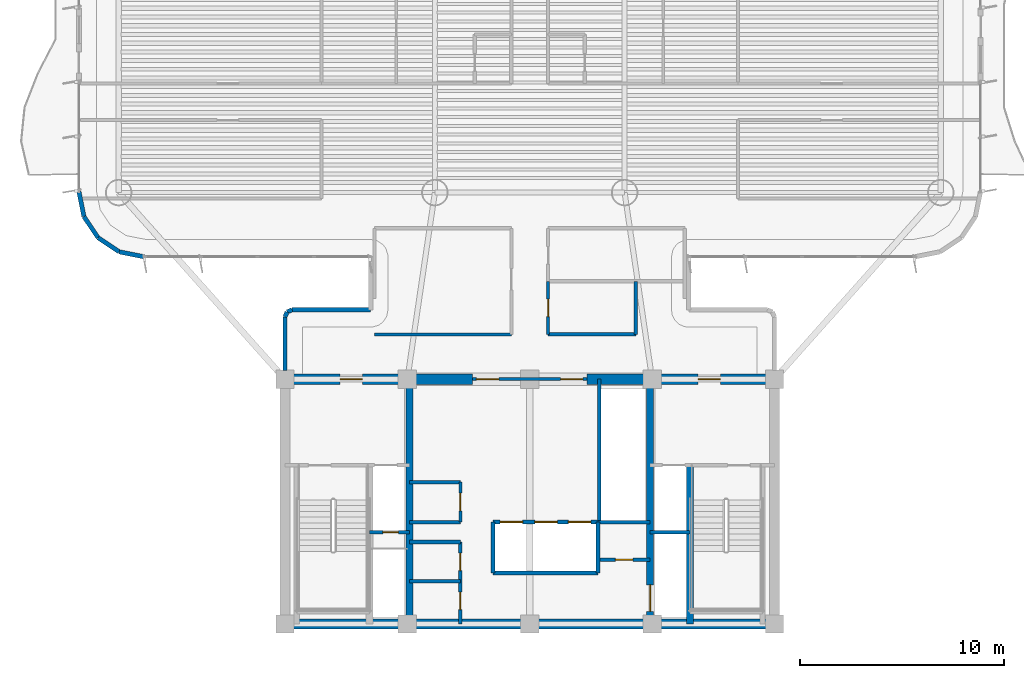
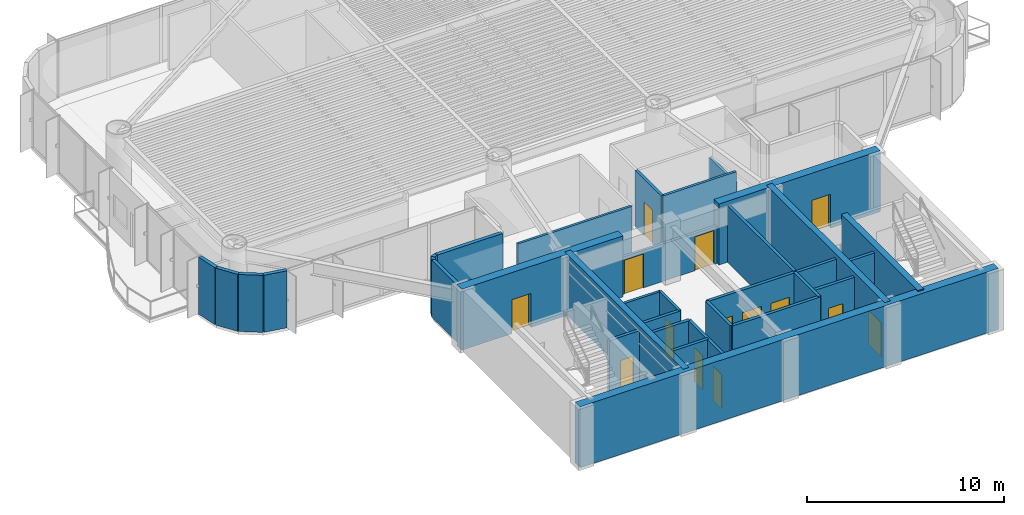
# One storey, part 9 of 16: 34 walls, 14 doors, 14 openings.
"""IFC4 building model written with IfcOpenShell, lengths in metres."""

from ifc_helpers import new_model, si_unit, direction, frame, frame_2d, origin, origin_2d, place, context, subcontext, project, spatial, rectangle, extrude, source, transform, mapped, material, layer, layer_set, type_object, element, fill, save


model = new_model("IFC4")

# Units and contexts
model_context = context("Model", 3, precision=1e-05, world=origin(), true_north=direction((0.0, 1.0)))
body_context = subcontext(model_context, "Body", "Model", "MODEL_VIEW")
ifc_project = project(units=[si_unit("LENGTHUNIT", "METRE"), si_unit("AREAUNIT", "SQUARE_METRE"), si_unit("VOLUMEUNIT", "CUBIC_METRE"), si_unit("PLANEANGLEUNIT", "RADIAN"), si_unit("MASSUNIT", "GRAM", prefix="KILO")], contexts=[model_context])

# Site, building, storey
site_placement = place(None, origin())
site = spatial("IfcSite", under=ifc_project, at=site_placement, CompositionType="ELEMENT")
building_placement = place(site_placement, origin())
building = spatial("IfcBuilding", under=site, at=building_placement, Name="Brelvock Crest Care Tower", CompositionType="ELEMENT")
storey_placement = place(building_placement, frame((0.0, 0.0, 138.9599609375)))
storey = spatial("IfcBuildingStorey", under=building, at=storey_placement, Name="L35", CompositionType="ELEMENT", Elevation=138.9599609375)

# Wall
ifc_material_1 = material(Name="Concrete S80 (80 MPa)", Category="concrete")
ifc_layer_1 = layer(ifc_material_1, 0.5, Name="WL-CS2")
ifc_layer_set_1 = layer_set([ifc_layer_1], Name="Concrete S80 (80 MPa)")
wall_type_1 = type_object("IfcWallType", Name="WL-CS2", PredefinedType="SHEAR", material=ifc_layer_set_1)
wall_1_placement = place(storey_placement, frame((48.25, 6.0, 0.0), z_axis=(0.0, 0.0, 1.0), x_axis=(-1.0, 0.0, 0.0)))
element("IfcWall", 1, at=wall_1_placement, inside=storey, type_object=wall_type_1, Name="L35 Core South Shear Wall", PredefinedType="SHEAR", context=body_context, shape_type="SweptSolid", body=[
    extrude(rectangle(XDim=24.5, YDim=0.5, at=frame_2d((12.25, 0.0))), origin(), (0.0, 0.0, 1.0), 3.780029296875),
])

# Wall, opening, door
wall_2_placement = place(storey_placement, frame((23.75, 18.0, 0.0), z_axis=(0.0, 0.0, 1.0), x_axis=(1.0, 0.0, 0.0)))
wall_2 = element("IfcWall", 2, at=wall_2_placement, inside=storey, type_object=wall_type_1, Name="L35 Core North-West Shear Wall", PredefinedType="SHEAR", context=body_context, shape_type="SweptSolid", body=[
    extrude(rectangle(XDim=9.449951171875, YDim=0.5, at=frame_2d((4.72509765625, 0.0))), origin(), (0.0, 0.0, 1.0), 3.780029296875),
])
opening_1_placement = place(wall_2_placement, frame((2.949951171875, 0.0, 0.0)))
opening_1 = element("IfcOpeningElement", 3, at=opening_1_placement, cuts=wall_2, Name="Opening FD-1", PredefinedType="OPENING", context=body_context, shape_type="SweptSolid", body=[
    extrude(rectangle(XDim=1.10009765625, YDim=2.10009765625, at=origin_2d()), frame((0.550048828125, 0.260009765625, 1.050048828125), z_axis=(0.0, -1.0, 0.0), x_axis=(1.0, 0.0, 0.0)), (0.0, 0.0, 1.0), 0.52001953125),
])
ifc_material_2 = material(Name="Steel Grade 350", Category="steel")
door_type_1 = type_object("IfcDoorType", Name="DR-FFL1", OperationType="NOTDEFINED", PredefinedType="DOOR", material=ifc_material_2)
shared_shape_1 = source(origin(), body_context, "Body", "SweptSolid", [
    extrude(rectangle(XDim=1.10009765625, YDim=2.10009765625, at=origin_2d()), frame((0.550048828125, 0.02490234375, 1.050048828125), z_axis=(0.0, -1.0, 0.0), x_axis=(1.0, 0.0, 0.0)), (0.0, 0.0, 1.0), 0.050048828125),
])
door_1_placement = place(opening_1_placement, origin())
door_1 = element("IfcDoor", 4, at=door_1_placement, inside=storey, type_object=door_type_1, Name="L35 Firefighting Lobby FFL-1 Exit Door", OperationType="SINGLE_SWING_LEFT", OverallHeight=2.10009765625, OverallWidth=1.10009765625, PredefinedType="DOOR", context=body_context, shape_type="MappedRepresentation", body=[
    mapped(shared_shape_1, transform((0.0, 0.0, 0.0), x_axis=(1.0, 0.0, 0.0), y_axis=(0.0, 1.0, 0.0), z_axis=(0.0, 0.0, 1.0), scale=1.0)),
])
fill(opening_1, door_1)

wall_3_placement = place(storey_placement, frame((38.800048828125, 18.0, 0.0), z_axis=(0.0, 0.0, 1.0), x_axis=(1.0, 0.0, 0.0)))
wall_3 = element("IfcWall", 5, at=wall_3_placement, inside=storey, type_object=wall_type_1, Name="L35 Core North-East Shear Wall", PredefinedType="SHEAR", context=body_context, shape_type="SweptSolid", body=[
    extrude(rectangle(XDim=9.449951171875, YDim=0.5, at=frame_2d((4.72509765625, 0.0))), origin(), (0.0, 0.0, 1.0), 3.780029296875),
])
opening_2_placement = place(wall_3_placement, frame((5.449951171875, 0.0, 0.0)))
opening_2 = element("IfcOpeningElement", 6, at=opening_2_placement, cuts=wall_3, Name="Opening FD-1", PredefinedType="OPENING", context=body_context, shape_type="SweptSolid", body=[
    extrude(rectangle(XDim=1.10009765625, YDim=2.10009765625, at=origin_2d()), frame((0.550048828125, 0.260009765625, 1.050048828125), z_axis=(0.0, -1.0, 0.0), x_axis=(1.0, 0.0, 0.0)), (0.0, 0.0, 1.0), 0.52001953125),
])
door_2_placement = place(opening_2_placement, origin())
door_2 = element("IfcDoor", 7, at=door_2_placement, inside=storey, type_object=door_type_1, Name="L35 Firefighting Lobby FFL-2 Exit Door", OperationType="SINGLE_SWING_RIGHT", OverallHeight=2.10009765625, OverallWidth=1.10009765625, PredefinedType="DOOR", context=body_context, shape_type="MappedRepresentation", body=[
    mapped(shared_shape_1, transform((0.0, 0.0, 0.0), x_axis=(1.0, 0.0, 0.0), y_axis=(0.0, 1.0, 0.0), z_axis=(0.0, 0.0, 1.0), scale=1.0)),
])
fill(opening_2, door_2)

# Wall
ifc_layer_2 = layer(ifc_material_1, 0.35009765625, Name="WL-CS5")
ifc_layer_set_2 = layer_set([ifc_layer_2], Name="Concrete S80 (80 MPa)")
wall_type_2 = type_object("IfcWallType", Name="WL-CS5", PredefinedType="SHEAR", material=ifc_layer_set_2)
wall_4_placement = place(storey_placement, frame((30.10009765625, 6.0, 0.0), z_axis=(0.0, 0.0, 1.0), x_axis=(0.0, 1.0, 0.0)))
element("IfcWall", 8, at=wall_4_placement, inside=storey, type_object=wall_type_2, Name="L35 Core Internal Web Wall West", PredefinedType="SHEAR", context=body_context, shape_type="SweptSolid", body=[
    extrude(rectangle(XDim=12.0, YDim=0.35009765625, at=frame_2d((6.0, 0.0))), origin(), (0.0, 0.0, 1.0), 3.780029296875),
])

# Wall, opening, door
wall_5_placement = place(storey_placement, frame((41.89990234375, 18.0, 0.0), z_axis=(0.0, 0.0, 1.0), x_axis=(0.0, -1.0, 0.0)))
wall_5 = element("IfcWall", 9, at=wall_5_placement, inside=storey, type_object=wall_type_2, Name="L35 Core Internal Web Wall East", PredefinedType="SHEAR", context=body_context, shape_type="SweptSolid", body=[
    extrude(rectangle(XDim=12.0, YDim=0.35009765625, at=frame_2d((6.0, 0.0))), origin(), (0.0, 0.0, 1.0), 3.780029296875),
])
opening_3_placement = place(wall_5_placement, frame((10.080078125, 0.0, 0.0)))
opening_3 = element("IfcOpeningElement", 10, at=opening_3_placement, cuts=wall_5, Name="Opening LD-S", PredefinedType="OPENING", context=body_context, shape_type="SweptSolid", body=[
    extrude(rectangle(XDim=1.300048828125, YDim=2.10009765625, at=origin_2d()), frame((0.64990234375, 0.18505859375, 1.050048828125), z_axis=(0.0, -1.0, 0.0), x_axis=(1.0, 0.0, 0.0)), (0.0, 0.0, 1.0), 0.3701171875),
])
door_type_2 = type_object("IfcDoorType", Name="DR-LDS1", OperationType="NOTDEFINED", PredefinedType="DOOR", material=ifc_material_2)
shared_shape_2 = source(origin(), body_context, "Body", "SweptSolid", [
    extrude(rectangle(XDim=1.300048828125, YDim=2.10009765625, at=origin_2d()), frame((0.64990234375, 0.02490234375, 1.050048828125), z_axis=(0.0, -1.0, 0.0), x_axis=(1.0, 0.0, 0.0)), (0.0, 0.0, 1.0), 0.050048828125),
])
door_3_placement = place(opening_3_placement, origin())
door_3 = element("IfcDoor", 11, at=door_3_placement, inside=storey, type_object=door_type_2, Name="L35 Clinical Bed Lift SL-1 Landing Door", OperationType="SLIDING_TO_LEFT", OverallHeight=2.10009765625, OverallWidth=1.300048828125, PredefinedType="DOOR", context=body_context, shape_type="MappedRepresentation", body=[
    mapped(shared_shape_2, transform((0.0, 0.0, 0.0), x_axis=(1.0, 0.0, 0.0), y_axis=(0.0, 1.0, 0.0), z_axis=(0.0, 0.0, 1.0), scale=1.0)),
])
fill(opening_3, door_3)

# Walls
wall_6_placement = place(storey_placement, frame((43.85009765625, 6.0, 0.0), z_axis=(0.0, 0.0, 1.0), x_axis=(0.0, 1.0, 0.0)))
element("IfcWall", 12, at=wall_6_placement, inside=storey, type_object=wall_type_2, Name="L35 Core Stair ST-2 West Shear Wall", PredefinedType="SHEAR", context=body_context, shape_type="SweptSolid", body=[
    extrude(rectangle(XDim=7.780029296875, YDim=0.35009765625, at=frame_2d((3.89013671875, 0.0))), origin(), (0.0, 0.0, 1.0), 3.85009765625),
])
ifc_material_3 = material(Name="Precast concrete N40 (40 MPa)", Category="concrete")
ifc_layer_3 = layer(ifc_material_3, 0.215087890625, Name="WL-EX2")
ifc_layer_set_3 = layer_set([ifc_layer_3], Name="Precast concrete N40 (40 MPa)")
wall_type_3 = type_object("IfcWallType", Name="WL-EX2", PredefinedType="SOLIDWALL", material=ifc_layer_set_3)
wall_7_placement = place(storey_placement, frame((24.0, 18.429931640625, 0.0), z_axis=(0.0, 0.0, 1.0), x_axis=(0.0, 1.0, 0.0)))
element("IfcWall", 13, at=wall_7_placement, inside=storey, type_object=wall_type_3, Name="L35 Rounded Corner Wall 07", PredefinedType="SOLIDWALL", context=body_context, shape_type="SweptSolid", body=[
    extrude(rectangle(XDim=2.6201171875, YDim=0.215087890625, at=frame_2d((1.31005859375, 0.0))), origin(), (0.0, 0.0, 1.0), 3.530029296875),
])
wall_8_placement = place(storey_placement, frame((24.0, 21.050048828125, 0.0), z_axis=(0.0, 0.0, 1.0), x_axis=(0.382673670509, 0.923883575944, 0.0)))
element("IfcWall", 14, at=wall_8_placement, inside=storey, type_object=wall_type_3, Name="L35 Rounded Corner Wall 08", PredefinedType="SOLIDWALL", context=body_context, shape_type="SweptSolid", body=[
    extrude(rectangle(XDim=0.26806640625, YDim=0.215087890625, at=frame_2d((0.134033203125, 0.0))), origin(), (0.0, 0.0, 1.0), 3.530029296875),
])
wall_9_placement = place(storey_placement, frame((24.1025390625, 21.297607421875, 0.0), z_axis=(0.0, 0.0, 1.0), x_axis=(0.924205486139, 0.381895560841, 0.0)))
element("IfcWall", 15, at=wall_9_placement, inside=storey, type_object=wall_type_3, Name="L35 Rounded Corner Wall 09", PredefinedType="SOLIDWALL", context=body_context, shape_type="SweptSolid", body=[
    extrude(rectangle(XDim=0.267822265625, YDim=0.215087890625, at=frame_2d((0.1337890625, 0.0))), origin(), (0.0, 0.0, 1.0), 3.530029296875),
])
wall_10_placement = place(storey_placement, frame((24.35009765625, 21.39990234375, 0.0), z_axis=(0.0, 0.0, 1.0), x_axis=(1.0, 0.0, 0.0)))
element("IfcWall", 16, at=wall_10_placement, inside=storey, type_object=wall_type_3, Name="L35 Rounded Corner Wall 10", PredefinedType="SOLIDWALL", context=body_context, shape_type="SweptSolid", body=[
    extrude(rectangle(XDim=3.849853515625, YDim=0.215087890625, at=frame_2d((1.9248046875, 0.0))), origin(), (0.0, 0.0, 1.0), 3.530029296875),
])
for number, where, z_axis, x_axis, name in (
    (17, (17.10009765625, 24.0, 0.0), (0.0, 0.0, 1.0), (-0.980775717779, 0.195138390419, 0.0), "L35 Rounded Corner Wall 13"),
    (18, (15.87548828125, 24.24365234375, 0.0), (0.0, 0.0, 1.0), (-0.831478245117, 0.555557312883, 0.0), "L35 Rounded Corner Wall 14"),
    (19, (14.83740234375, 24.937255859375, 0.0), (0.0, 0.0, 1.0), (-0.555692485475, 0.831387912822, 0.0), "L35 Rounded Corner Wall 15"),
    (20, (14.1435546875, 25.975341796875, 0.0), (0.0, 0.0, 1.0), (-0.195138390419, 0.980775717779, 0.0), "L35 Rounded Corner Wall 16"),
):
    element("IfcWall", number, at=place(storey_placement, frame(where, z_axis=z_axis, x_axis=x_axis)), inside=storey, type_object=wall_type_3, Name=name, PredefinedType="SOLIDWALL", context=body_context, shape_type="SweptSolid", body=[
        extrude(rectangle(XDim=1.24853515625, YDim=0.215087890625, at=frame_2d((0.624267578125, 0.0))), origin(), (0.0, 0.0, 1.0), 3.530029296875),
    ])
ifc_material_4 = material(Name="Masonry Blockwork Acoustic Partition", Category="masonry")
ifc_layer_4 = layer(ifc_material_4, 0.14990234375, Name="WL-INT1")
ifc_layer_set_4 = layer_set([ifc_layer_4], Name="Masonry Blockwork Acoustic Partition")
wall_type_4 = type_object("IfcWallType", Name="WL-INT1", PredefinedType="PARTITIONING", material=ifc_layer_set_4)
wall_11_placement = place(storey_placement, frame((30.10009765625, 12.949951171875, 0.0), z_axis=(0.0, 0.0, 1.0), x_axis=(1.0, 0.0, 0.0)))
element("IfcWall", 21, at=wall_11_placement, inside=storey, type_object=wall_type_4, Name="L35 Interior Wall WL-CRCL-N2-L35", PredefinedType="PARTITIONING", context=body_context, shape_type="SweptSolid", body=[
    extrude(rectangle(XDim=2.5, YDim=0.14990234375, at=frame_2d((1.25, 0.0))), origin(), (0.0, 0.0, 1.0), 3.5),
])

# Wall, opening, door
wall_12_placement = place(storey_placement, frame((32.60009765625, 11.0, 0.0), z_axis=(0.0, 0.0, 1.0), x_axis=(0.0, 1.0, 0.0)))
wall_12 = element("IfcWall", 22, at=wall_12_placement, inside=storey, type_object=wall_type_4, Name="L35 Interior Wall WL-CRCL-E-L35", PredefinedType="PARTITIONING", context=body_context, shape_type="SweptSolid", body=[
    extrude(rectangle(XDim=1.949951171875, YDim=0.14990234375, at=frame_2d((0.97509765625, 0.0))), origin(), (0.0, 0.0, 1.0), 3.5),
])
opening_4_placement = place(wall_12_placement, frame((0.550048828125, 0.0, 0.0)))
opening_4 = element("IfcOpeningElement", 23, at=opening_4_placement, cuts=wall_12, Name="Opening ID-1", PredefinedType="OPENING", context=body_context, shape_type="SweptSolid", body=[
    extrude(rectangle(XDim=0.860107421875, YDim=2.10009765625, at=origin_2d()), frame((0.43017578125, 0.0849609375, 1.050048828125), z_axis=(0.0, -1.0, 0.0), x_axis=(1.0, 0.0, 0.0)), (0.0, 0.0, 1.0), 0.169921875),
])
ifc_material_5 = material(Name="Engineered Hardwood Timber", Category="wood")
door_type_3 = type_object("IfcDoorType", Name="DR-INT1", OperationType="NOTDEFINED", PredefinedType="DOOR", material=ifc_material_5)
shared_shape_3 = source(origin(), body_context, "Body", "SweptSolid", [
    extrude(rectangle(XDim=0.860107421875, YDim=2.10009765625, at=origin_2d()), frame((0.43017578125, 0.02490234375, 1.050048828125), z_axis=(0.0, -1.0, 0.0), x_axis=(1.0, 0.0, 0.0)), (0.0, 0.0, 1.0), 0.050048828125),
])
door_4_placement = place(opening_4_placement, origin())
door_4 = element("IfcDoor", 24, at=door_4_placement, inside=storey, type_object=door_type_3, Name="DR-CRCL1-L35", OperationType="SINGLE_SWING_LEFT", OverallHeight=2.10009765625, OverallWidth=0.860107421875, PredefinedType="DOOR", context=body_context, shape_type="MappedRepresentation", body=[
    mapped(shared_shape_3, transform((0.0, 0.0, 0.0), x_axis=(1.0, 0.0, 0.0), y_axis=(0.0, 1.0, 0.0), z_axis=(0.0, 0.0, 1.0), scale=1.0)),
])
fill(opening_4, door_4)

# Wall, openings, doors
wall_13_placement = place(storey_placement, frame((33.199951171875, 18.0, 0.0), z_axis=(0.0, 0.0, 1.0), x_axis=(1.0, 0.0, 0.0)))
wall_13 = element("IfcWall", 25, at=wall_13_placement, inside=storey, type_object=wall_type_4, Name="L35 Interior Wall WL-CORE-NPORT-L35", PredefinedType="PARTITIONING", context=body_context, shape_type="SweptSolid", body=[
    extrude(rectangle(XDim=5.60009765625, YDim=0.14990234375, at=frame_2d((2.800048828125, 0.0))), origin(), (0.0, 0.0, 1.0), 2.31494140625),
])
opening_5_placement = place(wall_13_placement, frame((0.18994140625, 0.0, 0.0)))
opening_5 = element("IfcOpeningElement", 26, at=opening_5_placement, cuts=wall_13, Name="Opening FD-1", PredefinedType="OPENING", context=body_context, shape_type="SweptSolid", body=[
    extrude(rectangle(XDim=1.10009765625, YDim=2.10009765625, at=origin_2d()), frame((0.550048828125, 0.0849609375, 1.050048828125), z_axis=(0.0, -1.0, 0.0), x_axis=(1.0, 0.0, 0.0)), (0.0, 0.0, 1.0), 0.169921875),
])
opening_6_placement = place(wall_13_placement, frame((4.31005859375, 0.0, 0.0)))
opening_6 = element("IfcOpeningElement", 27, at=opening_6_placement, cuts=wall_13, Name="Opening FD-1", PredefinedType="OPENING", context=body_context, shape_type="SweptSolid", body=[
    extrude(rectangle(XDim=1.10009765625, YDim=2.10009765625, at=origin_2d()), frame((0.550048828125, 0.0849609375, 1.050048828125), z_axis=(0.0, -1.0, 0.0), x_axis=(1.0, 0.0, 0.0)), (0.0, 0.0, 1.0), 0.169921875),
])
door_5_placement = place(opening_5_placement, origin())
door_5 = element("IfcDoor", 28, at=door_5_placement, inside=storey, type_object=door_type_1, Name="L35 Lift Lobby North Smoke Door West", OperationType="SINGLE_SWING_LEFT", OverallHeight=2.10009765625, OverallWidth=1.10009765625, PredefinedType="DOOR", context=body_context, shape_type="MappedRepresentation", body=[
    mapped(shared_shape_1, transform((0.0, 0.0, 0.0), x_axis=(1.0, 0.0, 0.0), y_axis=(0.0, 1.0, 0.0), z_axis=(0.0, 0.0, 1.0), scale=1.0)),
])
fill(opening_5, door_5)
door_6_placement = place(opening_6_placement, origin())
door_6 = element("IfcDoor", 29, at=door_6_placement, inside=storey, type_object=door_type_1, Name="L35 Lift Lobby North Smoke Door East", OperationType="SINGLE_SWING_RIGHT", OverallHeight=2.10009765625, OverallWidth=1.10009765625, PredefinedType="DOOR", context=body_context, shape_type="MappedRepresentation", body=[
    mapped(shared_shape_1, transform((0.0, 0.0, 0.0), x_axis=(1.0, 0.0, 0.0), y_axis=(0.0, 1.0, 0.0), z_axis=(0.0, 0.0, 1.0), scale=1.0)),
])
fill(opening_6, door_6)

# Walls
wall_14_placement = place(storey_placement, frame((28.39990234375, 20.199951171875, 0.0), z_axis=(0.0, 0.0, 1.0), x_axis=(1.0, 0.0, 0.0)))
element("IfcWall", 30, at=wall_14_placement, inside=storey, type_object=wall_type_4, Name="L35 Interior Wall WL-BX-L35-THW-S", PredefinedType="PARTITIONING", context=body_context, shape_type="SweptSolid", body=[
    extrude(rectangle(XDim=6.7001953125, YDim=0.14990234375, at=frame_2d((3.35009765625, 0.0))), origin(), (0.0, 0.0, 1.0), 3.5),
])
ifc_material_6 = material(Name="Gypsum Plasterboard Partition", Category="gypsum")
ifc_layer_5 = layer(ifc_material_6, 0.159912109375, Name="WL-PLM1")
ifc_layer_set_5 = layer_set([ifc_layer_5], Name="Gypsum Plasterboard Partition")
wall_type_5 = type_object("IfcWallType", Name="WL-PLM1", PredefinedType="PLUMBINGWALL", material=ifc_layer_set_5)
wall_15_placement = place(storey_placement, frame((36.89990234375, 20.199951171875, 0.0), z_axis=(0.0, 0.0, 1.0), x_axis=(1.0, 0.0, 0.0)))
element("IfcWall", 31, at=wall_15_placement, inside=storey, type_object=wall_type_5, Name="L35 Interior Wall WL-BX-L35-THE1-S", PredefinedType="PLUMBINGWALL", context=body_context, shape_type="SweptSolid", body=[
    extrude(rectangle(XDim=4.300048828125, YDim=0.159912109375, at=frame_2d((2.14990234375, 0.0))), origin(), (0.0, 0.0, 1.0), 3.5),
])

# Wall, opening, door
wall_16_placement = place(storey_placement, frame((36.89990234375, 20.199951171875, 0.0), z_axis=(0.0, 0.0, 1.0), x_axis=(0.0, 1.0, 0.0)))
wall_16 = element("IfcWall", 32, at=wall_16_placement, inside=storey, type_object=wall_type_5, Name="L35 Interior Wall WL-RM-L35-THE1", PredefinedType="PLUMBINGWALL", context=body_context, shape_type="SweptSolid", body=[
    extrude(rectangle(XDim=2.60009765625, YDim=0.159912109375, at=frame_2d((1.300048828125, 0.0))), origin(), (0.0, 0.0, 1.0), 3.5),
])
opening_7_placement = place(wall_16_placement, frame((0.8701171875, 0.0, 0.0)))
opening_7 = element("IfcOpeningElement", 33, at=opening_7_placement, cuts=wall_16, Name="Opening WD-1", PredefinedType="OPENING", context=body_context, shape_type="SweptSolid", body=[
    extrude(rectangle(XDim=0.860107421875, YDim=2.10009765625, at=origin_2d()), frame((0.43017578125, 0.08984375, 1.050048828125), z_axis=(0.0, -1.0, 0.0), x_axis=(1.0, 0.0, 0.0)), (0.0, 0.0, 1.0), 0.179931640625),
])
door_type_4 = type_object("IfcDoorType", Name="DR-WC1", OperationType="NOTDEFINED", PredefinedType="DOOR", material=ifc_material_5)
shared_shape_4 = source(origin(), body_context, "Body", "SweptSolid", [
    extrude(rectangle(XDim=0.860107421875, YDim=2.10009765625, at=origin_2d()), frame((0.43017578125, 0.02490234375, 1.050048828125), z_axis=(0.0, -1.0, 0.0), x_axis=(1.0, 0.0, 0.0)), (0.0, 0.0, 1.0), 0.050048828125),
])
door_7_placement = place(opening_7_placement, origin())
door_7 = element("IfcDoor", 34, at=door_7_placement, inside=storey, type_object=door_type_4, Name="L35 Floor Accessible WC Door THE1", OperationType="SINGLE_SWING_LEFT", OverallHeight=2.10009765625, OverallWidth=0.860107421875, PredefinedType="DOOR", context=body_context, shape_type="MappedRepresentation", body=[
    mapped(shared_shape_4, transform((0.0, 0.0, 0.0), x_axis=(1.0, 0.0, 0.0), y_axis=(0.0, 1.0, 0.0), z_axis=(0.0, 0.0, 1.0), scale=1.0)),
])
fill(opening_7, door_7)

# Walls
wall_17_placement = place(storey_placement, frame((41.199951171875, 20.199951171875, 0.0), z_axis=(0.0, 0.0, 1.0), x_axis=(0.0, 1.0, 0.0)))
element("IfcWall", 35, at=wall_17_placement, inside=storey, type_object=wall_type_5, Name="L35 Interior Wall WL-BX-L35-THE1-E", PredefinedType="PLUMBINGWALL", context=body_context, shape_type="SweptSolid", body=[
    extrude(rectangle(XDim=2.60009765625, YDim=0.159912109375, at=frame_2d((1.300048828125, 0.0))), origin(), (0.0, 0.0, 1.0), 2.81494140625),
])
ifc_layer_6 = layer(ifc_material_4, 0.179931640625, Name="WL-SHF1")
ifc_layer_set_6 = layer_set([ifc_layer_6], Name="Masonry Blockwork Acoustic Partition")
wall_type_6 = type_object("IfcWallType", Name="WL-SHF1", PredefinedType="PARTITIONING", material=ifc_layer_set_6)
wall_18_placement = place(storey_placement, frame((34.199951171875, 8.5, 0.0), z_axis=(0.0, 0.0, 1.0), x_axis=(1.0, 0.0, 0.0)))
element("IfcWall", 36, at=wall_18_placement, inside=storey, type_object=wall_type_6, Name="L35 Interior Wall WL-PLM-S-L35", PredefinedType="PARTITIONING", context=body_context, shape_type="SweptSolid", body=[
    extrude(rectangle(XDim=5.150146484375, YDim=0.179931640625, at=frame_2d((2.5751953125, 0.0))), origin(), (0.0, 0.0, 1.0), 3.5),
])
for number, where, z_axis, x_axis, name in (
    (37, (34.199951171875, 8.5, 0.0), (0.0, 0.0, 1.0), (0.0, 1.0, 0.0), "L35 Interior Wall WL-PLM-W-L35"),
    (38, (39.35009765625, 8.5, 0.0), (0.0, 0.0, 1.0), (0.0, 1.0, 0.0), "L35 Interior Wall WL-PLM-E-L35"),
):
    element("IfcWall", number, at=place(storey_placement, frame(where, z_axis=z_axis, x_axis=x_axis)), inside=storey, type_object=wall_type_6, Name=name, PredefinedType="PARTITIONING", context=body_context, shape_type="SweptSolid", body=[
        extrude(rectangle(XDim=2.5, YDim=0.179931640625, at=frame_2d((1.25, 0.0))), origin(), (0.0, 0.0, 1.0), 3.5),
    ])
wall_19_placement = place(storey_placement, frame((39.39990234375, 11.0, 0.0), z_axis=(0.0, 0.0, 1.0), x_axis=(0.0, 1.0, 0.0)))
element("IfcWall", 39, at=wall_19_placement, inside=storey, type_object=wall_type_6, Name="L35 Interior Wall WL-PLH-SHF-L35", PredefinedType="PARTITIONING", context=body_context, shape_type="SweptSolid", body=[
    extrude(rectangle(XDim=7.0, YDim=0.179931640625, at=frame_2d((3.5, 0.0))), origin(), (0.0, 0.0, 1.0), 3.5),
])
wall_20_placement = place(storey_placement, frame((30.10009765625, 10.97998046875, 0.0), z_axis=(0.0, 0.0, 1.0), x_axis=(1.0, 0.0, 0.0)))
element("IfcWall", 40, at=wall_20_placement, inside=storey, type_object=wall_type_6, Name="L35 Interior Wall WL-CSBW-N-L35", PredefinedType="PARTITIONING", context=body_context, shape_type="SweptSolid", body=[
    extrude(rectangle(XDim=2.5, YDim=0.179931640625, at=frame_2d((1.25, 0.0))), origin(), (0.0, 0.0, 1.0), 3.5),
])
wall_21_placement = place(storey_placement, frame((39.35009765625, 10.97998046875, 0.0), z_axis=(0.0, 0.0, 1.0), x_axis=(1.0, 0.0, 0.0)))
element("IfcWall", 41, at=wall_21_placement, inside=storey, type_object=wall_type_6, Name="L35 Interior Wall WL-CSBE-N-L35", PredefinedType="PARTITIONING", context=body_context, shape_type="SweptSolid", body=[
    extrude(rectangle(XDim=2.5498046875, YDim=0.179931640625, at=frame_2d((1.27490234375, 0.0))), origin(), (0.0, 0.0, 1.0), 3.5),
])
for number, where, z_axis, x_axis, name in (
    (42, (30.10009765625, 8.10009765625, 0.0), (0.0, 0.0, 1.0), (1.0, 0.0, 0.0), "L35 Interior Wall WL-CSBW-SP-L35"),
    (43, (30.10009765625, 10.02001953125, 0.0), (0.0, 0.0, 1.0), (1.0, 0.0, 0.0), "L35 Interior Wall WL-CSBW-N2-L35"),
):
    element("IfcWall", number, at=place(storey_placement, frame(where, z_axis=z_axis, x_axis=x_axis)), inside=storey, type_object=wall_type_6, Name=name, PredefinedType="PARTITIONING", context=body_context, shape_type="SweptSolid", body=[
        extrude(rectangle(XDim=2.5, YDim=0.179931640625, at=frame_2d((1.25, 0.0))), origin(), (0.0, 0.0, 1.0), 3.5),
    ])

# Wall, openings, doors
wall_22_placement = place(storey_placement, frame((32.60009765625, 6.0, 0.0), z_axis=(0.0, 0.0, 1.0), x_axis=(0.0, 1.0, 0.0)))
wall_22 = element("IfcWall", 44, at=wall_22_placement, inside=storey, type_object=wall_type_6, Name="L35 Interior Wall WL-CSBW-E-L35", PredefinedType="PARTITIONING", context=body_context, shape_type="SweptSolid", body=[
    extrude(rectangle(XDim=4.02001953125, YDim=0.179931640625, at=frame_2d((2.010009765625, 0.0))), origin(), (0.0, 0.0, 1.0), 3.5),
])
opening_8_placement = place(wall_22_placement, frame((0.699951171875, 0.0, 0.0)))
opening_8 = element("IfcOpeningElement", 45, at=opening_8_placement, cuts=wall_22, Name="Opening ID-1", PredefinedType="OPENING", context=body_context, shape_type="SweptSolid", body=[
    extrude(rectangle(XDim=0.860107421875, YDim=2.10009765625, at=origin_2d()), frame((0.43017578125, 0.10009765625, 1.050048828125), z_axis=(0.0, -1.0, 0.0), x_axis=(1.0, 0.0, 0.0)), (0.0, 0.0, 1.0), 0.199951171875),
])
opening_9_placement = place(wall_22_placement, frame((2.6201171875, 0.0, 0.0)))
opening_9 = element("IfcOpeningElement", 46, at=opening_9_placement, cuts=wall_22, Name="Opening ID-1", PredefinedType="OPENING", context=body_context, shape_type="SweptSolid", body=[
    extrude(rectangle(XDim=0.860107421875, YDim=2.10009765625, at=origin_2d()), frame((0.43017578125, 0.10009765625, 1.050048828125), z_axis=(0.0, -1.0, 0.0), x_axis=(1.0, 0.0, 0.0)), (0.0, 0.0, 1.0), 0.199951171875),
])
door_8_placement = place(opening_8_placement, origin())
door_8 = element("IfcDoor", 47, at=door_8_placement, inside=storey, type_object=door_type_3, Name="DR-CSBW1-L35", OperationType="SINGLE_SWING_LEFT", OverallHeight=2.10009765625, OverallWidth=0.860107421875, PredefinedType="DOOR", context=body_context, shape_type="MappedRepresentation", body=[
    mapped(shared_shape_3, transform((0.0, 0.0, 0.0), x_axis=(1.0, 0.0, 0.0), y_axis=(0.0, 1.0, 0.0), z_axis=(0.0, 0.0, 1.0), scale=1.0)),
])
fill(opening_8, door_8)
door_9_placement = place(opening_9_placement, origin())
door_9 = element("IfcDoor", 48, at=door_9_placement, inside=storey, type_object=door_type_3, Name="DR-CSBW2-L35", OperationType="SINGLE_SWING_RIGHT", OverallHeight=2.10009765625, OverallWidth=0.860107421875, PredefinedType="DOOR", context=body_context, shape_type="MappedRepresentation", body=[
    mapped(shared_shape_3, transform((0.0, 0.0, 0.0), x_axis=(1.0, 0.0, 0.0), y_axis=(0.0, 1.0, 0.0), z_axis=(0.0, 0.0, 1.0), scale=1.0)),
])
fill(opening_9, door_9)

# Wall, opening, door
wall_23_placement = place(storey_placement, frame((39.35009765625, 9.14990234375, 0.0), z_axis=(0.0, 0.0, 1.0), x_axis=(1.0, 0.0, 0.0)))
wall_23 = element("IfcWall", 49, at=wall_23_placement, inside=storey, type_object=wall_type_6, Name="L35 Interior Wall WL-CSBE-S-L35", PredefinedType="PARTITIONING", context=body_context, shape_type="SweptSolid", body=[
    extrude(rectangle(XDim=2.5498046875, YDim=0.179931640625, at=frame_2d((1.27490234375, 0.0))), origin(), (0.0, 0.0, 1.0), 3.5),
])
opening_10_placement = place(wall_23_placement, frame((0.85009765625, 0.0, 0.0)))
opening_10 = element("IfcOpeningElement", 50, at=opening_10_placement, cuts=wall_23, Name="Opening ID-1", PredefinedType="OPENING", context=body_context, shape_type="SweptSolid", body=[
    extrude(rectangle(XDim=0.860107421875, YDim=2.10009765625, at=origin_2d()), frame((0.43017578125, 0.10009765625, 1.050048828125), z_axis=(0.0, -1.0, 0.0), x_axis=(1.0, 0.0, 0.0)), (0.0, 0.0, 1.0), 0.199951171875),
])
door_10_placement = place(opening_10_placement, origin())
door_10 = element("IfcDoor", 51, at=door_10_placement, inside=storey, type_object=door_type_3, Name="DR-CSBE-L35", OperationType="SINGLE_SWING_LEFT", OverallHeight=2.10009765625, OverallWidth=0.860107421875, PredefinedType="DOOR", context=body_context, shape_type="MappedRepresentation", body=[
    mapped(shared_shape_3, transform((0.0, 0.0, 0.0), x_axis=(1.0, 0.0, 0.0), y_axis=(0.0, 1.0, 0.0), z_axis=(0.0, 0.0, 1.0), scale=1.0)),
])
fill(opening_10, door_10)

wall_24_placement = place(storey_placement, frame((28.14990234375, 10.5, 0.0), z_axis=(0.0, 0.0, 1.0), x_axis=(1.0, 0.0, 0.0)))
wall_24 = element("IfcWall", 52, at=wall_24_placement, inside=storey, type_object=wall_type_6, Name="L35 Interior Wall WL-FFH1-S-L35", PredefinedType="PARTITIONING", context=body_context, shape_type="SweptSolid", body=[
    extrude(rectangle(XDim=1.9501953125, YDim=0.179931640625, at=frame_2d((0.97509765625, 0.0))), origin(), (0.0, 0.0, 1.0), 3.5),
])
opening_11_placement = place(wall_24_placement, frame((0.64990234375, 0.0, 0.0)))
opening_11 = element("IfcOpeningElement", 53, at=opening_11_placement, cuts=wall_24, Name="Opening RD-1", PredefinedType="OPENING", context=body_context, shape_type="SweptSolid", body=[
    extrude(rectangle(XDim=0.760009765625, YDim=2.050048828125, at=origin_2d()), frame((0.3798828125, 0.10009765625, 1.02490234375), z_axis=(0.0, -1.0, 0.0), x_axis=(1.0, 0.0, 0.0)), (0.0, 0.0, 1.0), 0.199951171875),
])
door_type_5 = type_object("IfcDoorType", Name="DR-RIS1", OperationType="NOTDEFINED", PredefinedType="DOOR", material=ifc_material_2)
shared_shape_5 = source(origin(), body_context, "Body", "SweptSolid", [
    extrude(rectangle(XDim=0.760009765625, YDim=2.050048828125, at=origin_2d()), frame((0.3798828125, 0.02490234375, 1.02490234375), z_axis=(0.0, -1.0, 0.0), x_axis=(1.0, 0.0, 0.0)), (0.0, 0.0, 1.0), 0.050048828125),
])
door_11_placement = place(opening_11_placement, origin())
door_11 = element("IfcDoor", 54, at=door_11_placement, inside=storey, type_object=door_type_5, Name="L35 Wet Fire Riser Access Door", OperationType="SINGLE_SWING_LEFT", OverallHeight=2.050048828125, OverallWidth=0.760009765625, PredefinedType="DOOR", context=body_context, shape_type="MappedRepresentation", body=[
    mapped(shared_shape_5, transform((0.0, 0.0, 0.0), x_axis=(1.0, 0.0, 0.0), y_axis=(0.0, 1.0, 0.0), z_axis=(0.0, 0.0, 1.0), scale=1.0)),
])
fill(opening_11, door_11)

# Wall
wall_25_placement = place(storey_placement, frame((41.89990234375, 10.5, 0.0), z_axis=(0.0, 0.0, 1.0), x_axis=(1.0, 0.0, 0.0)))
element("IfcWall", 55, at=wall_25_placement, inside=storey, type_object=wall_type_6, Name="L35 Interior Wall WL-FFH2-S-L35", PredefinedType="PARTITIONING", context=body_context, shape_type="SweptSolid", body=[
    extrude(rectangle(XDim=1.9501953125, YDim=0.179931640625, at=frame_2d((0.97509765625, 0.0))), origin(), (0.0, 0.0, 1.0), 3.5),
])

# Wall, openings, doors
wall_26_placement = place(storey_placement, frame((34.199951171875, 11.0, 0.0), z_axis=(0.0, 0.0, 1.0), x_axis=(1.0, 0.0, 0.0)))
wall_26 = element("IfcWall", 56, at=wall_26_placement, inside=storey, type_object=wall_type_6, Name="L35 Interior Wall WL-PLM-BANK-L35", PredefinedType="PARTITIONING", context=body_context, shape_type="SweptSolid", body=[
    extrude(rectangle(XDim=5.150146484375, YDim=0.179931640625, at=frame_2d((2.5751953125, 0.0))), origin(), (0.0, 0.0, 1.0), 3.5),
])
opening_12_placement = place(wall_26_placement, frame((0.35009765625, 0.0, 0.0)))
opening_12 = element("IfcOpeningElement", 57, at=opening_12_placement, cuts=wall_26, Name="Opening LD", PredefinedType="OPENING", context=body_context, shape_type="SweptSolid", body=[
    extrude(rectangle(XDim=1.10009765625, YDim=2.10009765625, at=origin_2d()), frame((0.550048828125, 0.10009765625, 1.050048828125), z_axis=(0.0, -1.0, 0.0), x_axis=(1.0, 0.0, 0.0)), (0.0, 0.0, 1.0), 0.199951171875),
])
opening_13_placement = place(wall_26_placement, frame((2.050048828125, 0.0, 0.0)))
opening_13 = element("IfcOpeningElement", 58, at=opening_13_placement, cuts=wall_26, Name="Opening LD", PredefinedType="OPENING", context=body_context, shape_type="SweptSolid", body=[
    extrude(rectangle(XDim=1.10009765625, YDim=2.10009765625, at=origin_2d()), frame((0.550048828125, 0.10009765625, 1.050048828125), z_axis=(0.0, -1.0, 0.0), x_axis=(1.0, 0.0, 0.0)), (0.0, 0.0, 1.0), 0.199951171875),
])
opening_14_placement = place(wall_26_placement, frame((3.699951171875, 0.0, 0.0)))
opening_14 = element("IfcOpeningElement", 59, at=opening_14_placement, cuts=wall_26, Name="Opening LD", PredefinedType="OPENING", context=body_context, shape_type="SweptSolid", body=[
    extrude(rectangle(XDim=1.10009765625, YDim=2.10009765625, at=origin_2d()), frame((0.550048828125, 0.10009765625, 1.050048828125), z_axis=(0.0, -1.0, 0.0), x_axis=(1.0, 0.0, 0.0)), (0.0, 0.0, 1.0), 0.199951171875),
])
door_type_6 = type_object("IfcDoorType", Name="DR-LD1", OperationType="NOTDEFINED", PredefinedType="DOOR", material=ifc_material_2)
shared_shape_6 = source(origin(), body_context, "Body", "SweptSolid", [
    extrude(rectangle(XDim=1.10009765625, YDim=2.10009765625, at=origin_2d()), frame((0.550048828125, 0.02490234375, 1.050048828125), z_axis=(0.0, -1.0, 0.0), x_axis=(1.0, 0.0, 0.0)), (0.0, 0.0, 1.0), 0.050048828125),
])
door_12_placement = place(opening_12_placement, origin())
door_12 = element("IfcDoor", 60, at=door_12_placement, inside=storey, type_object=door_type_6, Name="L35 Lift PL-M1 Landing Door", OperationType="SLIDING_TO_LEFT", OverallHeight=2.10009765625, OverallWidth=1.10009765625, PredefinedType="DOOR", context=body_context, shape_type="MappedRepresentation", body=[
    mapped(shared_shape_6, transform((0.0, 0.0, 0.0), x_axis=(1.0, 0.0, 0.0), y_axis=(0.0, 1.0, 0.0), z_axis=(0.0, 0.0, 1.0), scale=1.0)),
])
fill(opening_12, door_12)
door_13_placement = place(opening_13_placement, origin())
door_13 = element("IfcDoor", 61, at=door_13_placement, inside=storey, type_object=door_type_6, Name="L35 Lift PL-M2 Landing Door", OperationType="SLIDING_TO_LEFT", OverallHeight=2.10009765625, OverallWidth=1.10009765625, PredefinedType="DOOR", context=body_context, shape_type="MappedRepresentation", body=[
    mapped(shared_shape_6, transform((0.0, 0.0, 0.0), x_axis=(1.0, 0.0, 0.0), y_axis=(0.0, 1.0, 0.0), z_axis=(0.0, 0.0, 1.0), scale=1.0)),
])
fill(opening_13, door_13)
door_14_placement = place(opening_14_placement, origin())
door_14 = element("IfcDoor", 62, at=door_14_placement, inside=storey, type_object=door_type_6, Name="L35 Lift PL-M3 Landing Door", OperationType="SLIDING_TO_LEFT", OverallHeight=2.10009765625, OverallWidth=1.10009765625, PredefinedType="DOOR", context=body_context, shape_type="MappedRepresentation", body=[
    mapped(shared_shape_6, transform((0.0, 0.0, 0.0), x_axis=(1.0, 0.0, 0.0), y_axis=(0.0, 1.0, 0.0), z_axis=(0.0, 0.0, 1.0), scale=1.0)),
])
fill(opening_14, door_14)

save(model, "model.ifc")
